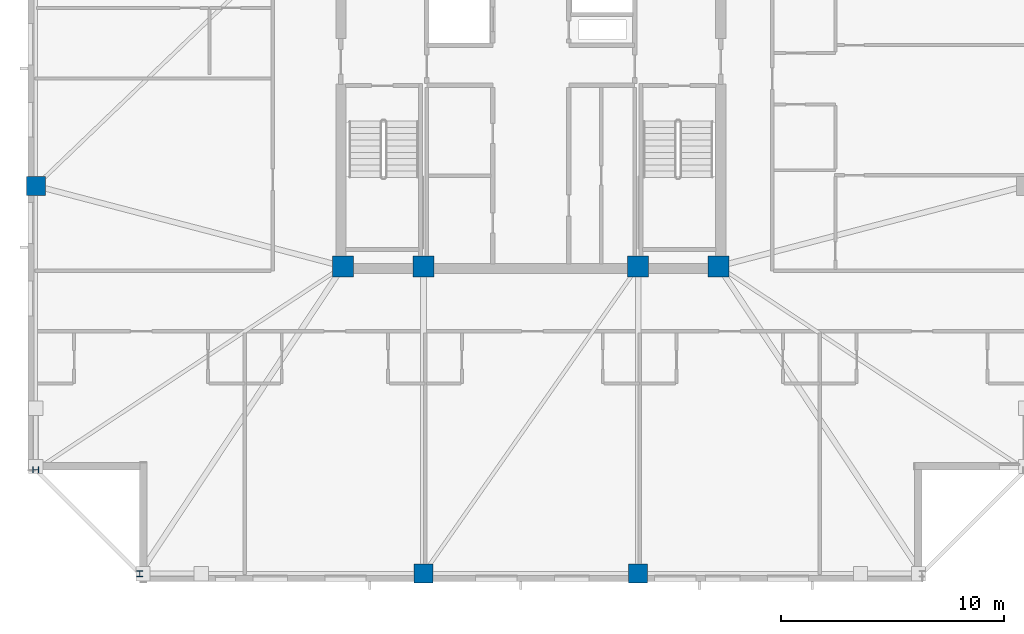
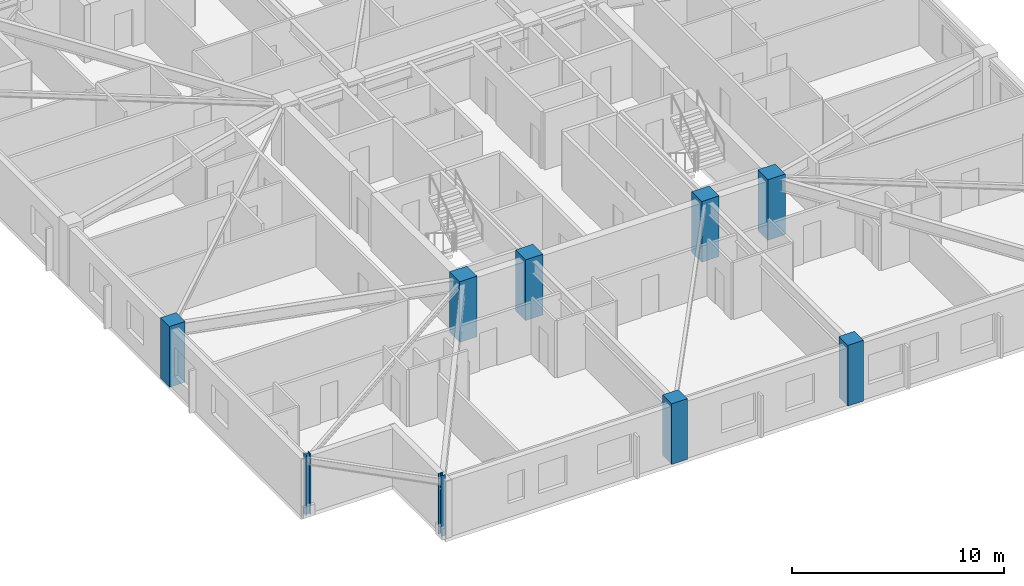
# One storey, part 1 of 17: 9 columns.
"""IFC4 building model written with IfcOpenShell, lengths in metres."""

from ifc_helpers import new_model, si_unit, direction, frame, origin, origin_2d, place, context, subcontext, project, spatial, rectangle, i_section, extrude, material, material_profile, profile_set, type_object, element, save


model = new_model("IFC4")

# Units and contexts
model_context = context("Model", 3, precision=1e-05, world=origin(), true_north=direction((0.0, 1.0)))
body_context = subcontext(model_context, "Body", "Model", "MODEL_VIEW")
ifc_project = project(units=[si_unit("LENGTHUNIT", "METRE"), si_unit("AREAUNIT", "SQUARE_METRE"), si_unit("VOLUMEUNIT", "CUBIC_METRE"), si_unit("PLANEANGLEUNIT", "RADIAN"), si_unit("MASSUNIT", "GRAM", prefix="KILO")], contexts=[model_context])

# Site, building, storey
site_placement = place(None, origin())
site = spatial("IfcSite", under=ifc_project, at=site_placement, CompositionType="ELEMENT")
building_placement = place(site_placement, origin())
building = spatial("IfcBuilding", under=site, at=building_placement, Name="Cairnveth Concourse Tower", CompositionType="ELEMENT")
storey_placement = place(building_placement, frame((0.0, 0.0, 216.5)))
storey = spatial("IfcBuildingStorey", under=building, at=storey_placement, Name="L59", CompositionType="ELEMENT", Elevation=216.5)

# Columns
ifc_material_1 = material(Name="Concrete N65 (65 MPa)", Category="concrete")
ifc_material_profile_1 = material_profile(ifc_material_1, rectangle(XDim=0.949951171875, YDim=0.949951171875, at=origin_2d()), Name="RC-COL-950x950")
ifc_profile_set_1 = profile_set([ifc_material_profile_1], Name="Concrete N65 (65 MPa)")
column_type_1 = type_object("IfcColumnType", Name="CORE COLUMN 950X950", PredefinedType="COLUMN", material=ifc_profile_set_1)
for number, where, z_axis, x_axis, name in (
    (1, (43.60009765625, 30.60009765625, 0.0), (0.0, 0.0, 1.0), (1.0, 0.0, 0.0), "Column CC1 L59"),
    (2, (47.199951171875, 30.60009765625, 0.0), (0.0, 0.0, 1.0), (1.0, 0.0, 0.0), "Column CC2 L59"),
    (3, (56.800048828125, 30.60009765625, 0.0), (0.0, 0.0, 1.0), (1.0, 0.0, 0.0), "Column CC3 L59"),
    (4, (60.39990234375, 30.60009765625, 0.0), (0.0, 0.0, 1.0), (1.0, 0.0, 0.0), "Column CC4 L59"),
):
    element("IfcColumn", number, at=place(storey_placement, frame(where, z_axis=z_axis, x_axis=x_axis)), inside=storey, type_object=column_type_1, Name=name, PredefinedType="COLUMN", context=body_context, shape_type="SweptSolid", body=[
        extrude(rectangle(XDim=0.949951171875, YDim=0.949951171875, at=origin_2d()), origin(), (0.0, 0.0, 1.0), 3.5),
    ])
ifc_material_profile_2 = material_profile(ifc_material_1, rectangle(XDim=0.85009765625, YDim=0.85009765625, at=origin_2d()), Name="RC-COL-850x850")
ifc_profile_set_2 = profile_set([ifc_material_profile_2], Name="Concrete N65 (65 MPa)")
column_type_2 = type_object("IfcColumnType", Name="PERIMETER PIER COLUMN 850X850", PredefinedType="COLUMN", material=ifc_profile_set_2)
for number, where, z_axis, x_axis, name in (
    (5, (47.199951171875, 16.85009765625, 0.0), (0.0, 0.0, 1.0), (1.0, 0.0, 0.0), "Column P-S2 L59"),
    (6, (56.800048828125, 16.85009765625, 0.0), (0.0, 0.0, 1.0), (1.0, 0.0, 0.0), "Column P-S3 L59"),
    (7, (29.85009765625, 34.199951171875, 0.0), (0.0, 0.0, 1.0), (0.0, 1.0, 0.0), "Column P-W3 L59"),
):
    element("IfcColumn", number, at=place(storey_placement, frame(where, z_axis=z_axis, x_axis=x_axis)), inside=storey, type_object=column_type_2, Name=name, PredefinedType="COLUMN", context=body_context, shape_type="SweptSolid", body=[
        extrude(rectangle(XDim=0.85009765625, YDim=0.85009765625, at=origin_2d()), origin(), (0.0, 0.0, 1.0), 3.5),
    ])
ifc_material_2 = material(Name="Steel Grade 350", Category="steel")
ifc_material_profile_3 = material_profile(ifc_material_2, i_section(OverallWidth=0.256103515625, OverallDepth=0.260009765625, WebThickness=0.010498046875, FlangeThickness=0.017333984375, FilletRadius=0.012939453125, at=origin_2d()), Name="250UC89.5")
ifc_profile_set_3 = profile_set([ifc_material_profile_3], Name="Steel Grade 350")
column_type_3 = type_object("IfcColumnType", Name="UNIVERSAL STEEL COLUMN 250UC89.5", PredefinedType="COLUMN", material=ifc_profile_set_3)
for number, where, z_axis, x_axis, name in (
    (8, (34.5, 16.85009765625, 0.0), (0.0, 0.0, 1.0), (1.0, 0.0, 0.0), "Column P-S1 L59"),
    (9, (29.85009765625, 21.5, 0.0), (0.0, 0.0, 1.0), (0.0, 1.0, 0.0), "Column P-W4 L59"),
):
    element("IfcColumn", number, at=place(storey_placement, frame(where, z_axis=z_axis, x_axis=x_axis)), inside=storey, type_object=column_type_3, Name=name, PredefinedType="COLUMN", context=body_context, shape_type="SweptSolid", body=[
        extrude(i_section(OverallWidth=0.256103515625, OverallDepth=0.260009765625, WebThickness=0.010498046875, FlangeThickness=0.017333984375, FilletRadius=0.012939453125, at=origin_2d()), origin(), (0.0, 0.0, 1.0), 3.5),
    ])

save(model, "model.ifc")
